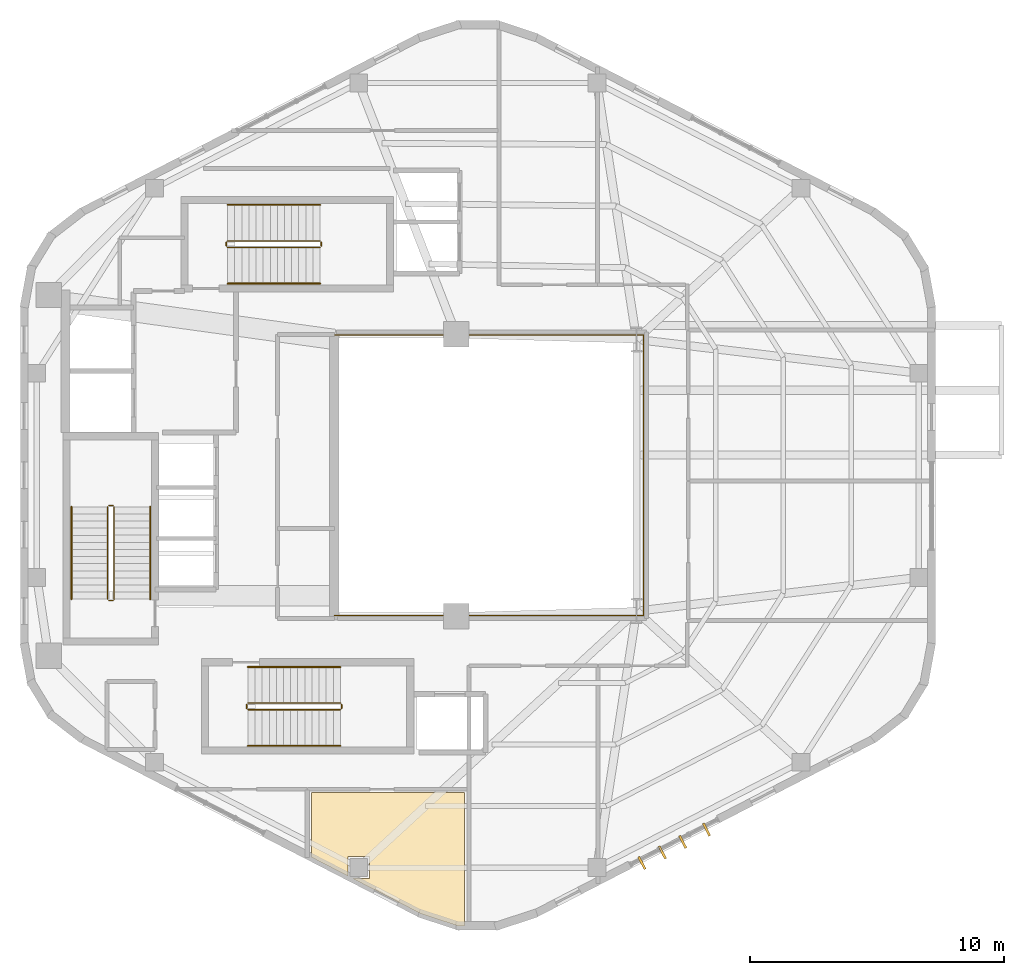
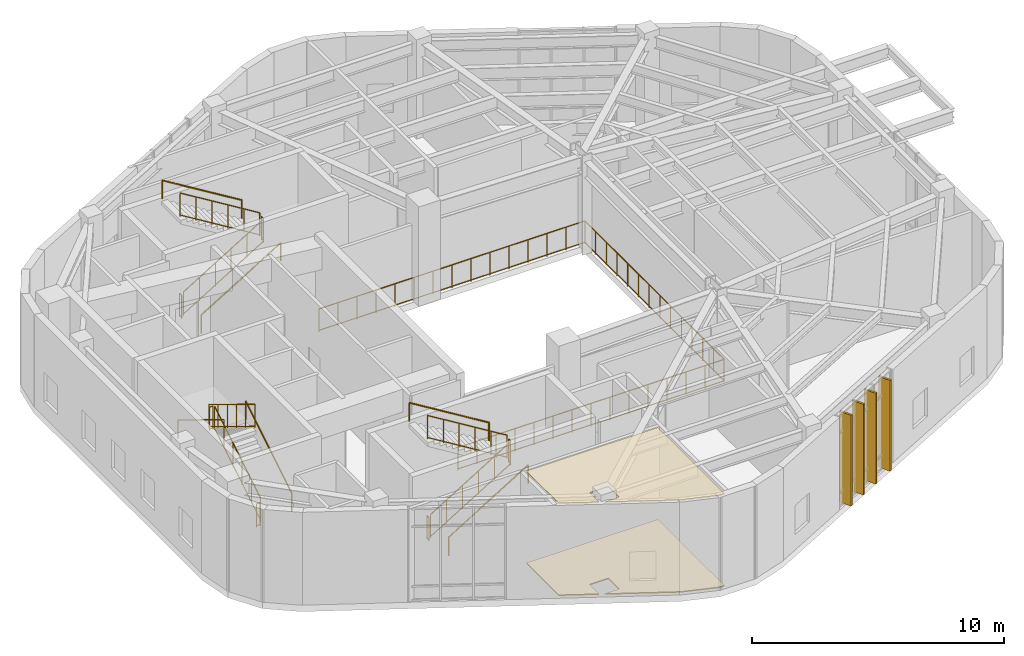
# One storey, part 18 of 18: 19 railings, 4 shading devices, 2 coverings.
"""IFC4 building model written with IfcOpenShell, lengths in metres."""

from ifc_helpers import new_model, si_unit, direction, frame, origin, origin_2d, place, context, subcontext, project, spatial, polyline, rectangle, circle, outline, extrude, material, layer, layer_set, type_object, element, save


model = new_model("IFC4")

# Units and contexts
model_context = context("Model", 3, precision=1e-05, world=origin(), true_north=direction((0.0, 1.0)))
body_context = subcontext(model_context, "Body", "Model", "MODEL_VIEW")
ifc_project = project(units=[si_unit("LENGTHUNIT", "METRE"), si_unit("AREAUNIT", "SQUARE_METRE"), si_unit("VOLUMEUNIT", "CUBIC_METRE"), si_unit("PLANEANGLEUNIT", "RADIAN"), si_unit("MASSUNIT", "GRAM", prefix="KILO"), si_unit("THERMODYNAMICTEMPERATUREUNIT", "KELVIN"), si_unit("POWERUNIT", "WATT")], contexts=[model_context])

# Site, building, storey
site_placement = place(None, origin())
site = spatial("IfcSite", under=ifc_project, at=site_placement, CompositionType="ELEMENT")
building_placement = place(site_placement, origin())
building = spatial("IfcBuilding", under=site, at=building_placement, Name="Skarre Station Tower", CompositionType="ELEMENT")
storey_placement = place(building_placement, frame((0.0, 0.0, 270.300048828125)))
storey = spatial("IfcBuildingStorey", under=building, at=storey_placement, Name="L74", CompositionType="ELEMENT", Elevation=270.300048828125)

# Railing
ifc_material_1 = material(Name="Bronze Anodized Steel & Laminated Glass Balustrade", Category="steel")
railing_type_1 = type_object("IfcRailingType", Name="Atrium Void & Mezzanine Guard Balustrade 1120", PredefinedType="GUARDRAIL", material=ifc_material_1)
railing_1_placement = place(storey_placement, frame((27.550048828125, 18.47998046875, 0.0)))
element("IfcRailing", 1, at=railing_1_placement, inside=storey, type_object=railing_type_1, Name="L74 Atrium Void Guard Balustrade", PredefinedType="GUARDRAIL", context=body_context, shape_type="SweptSolid", body=[
    extrude(circle(Radius=0.02392578125, at=origin_2d()), frame((0.0, 0.0, 1.09619140625), z_axis=(1.0, 0.0, 0.0), x_axis=(0.0, 1.0, 0.0)), (0.0, 0.0, 1.0), 12.169921875),
    extrude(circle(Radius=0.02099609375, at=origin_2d()), frame((0.0, 0.0, 0.06005859375), z_axis=(1.0, 0.0, 0.0), x_axis=(0.0, 1.0, 0.0)), (0.0, 0.0, 1.0), 12.169921875),
    extrude(circle(Radius=0.02392578125, at=origin_2d()), frame((12.169921875, 0.0, 1.09619140625), z_axis=(0.0, 1.0, 0.0), x_axis=(-1.0, 0.0, 0.0)), (0.0, 0.0, 1.0), 11.0400390625),
    extrude(circle(Radius=0.02099609375, at=origin_2d()), frame((12.169921875, 0.0, 0.06005859375), z_axis=(0.0, 1.0, 0.0), x_axis=(-1.0, 0.0, 0.0)), (0.0, 0.0, 1.0), 11.0400390625),
    extrude(circle(Radius=0.02392578125, at=origin_2d()), frame((12.169921875, 11.0400390625, 1.09619140625), z_axis=(-1.0, 0.0, 0.0), x_axis=(0.0, -1.0, 0.0)), (0.0, 0.0, 1.0), 12.169921875),
    extrude(circle(Radius=0.02099609375, at=origin_2d()), frame((12.169921875, 11.0400390625, 0.06005859375), z_axis=(-1.0, 0.0, 0.0), x_axis=(0.0, -1.0, 0.0)), (0.0, 0.0, 1.0), 12.169921875),
    extrude(circle(Radius=0.02099609375, at=origin_2d()), origin(), (0.0, 0.0, 1.0), 1.072021484375),
    extrude(circle(Radius=0.02099609375, at=origin_2d()), frame((0.869384765625, 0.0, 0.0)), (0.0, 0.0, 1.0), 1.072021484375),
    extrude(circle(Radius=0.02099609375, at=origin_2d()), frame((1.738525390625, 0.0, 0.0)), (0.0, 0.0, 1.0), 1.072021484375),
    extrude(circle(Radius=0.02099609375, at=origin_2d()), frame((2.60791015625, 0.0, 0.0)), (0.0, 0.0, 1.0), 1.072021484375),
    extrude(circle(Radius=0.02099609375, at=origin_2d()), frame((3.47705078125, 0.0, 0.0)), (0.0, 0.0, 1.0), 1.072021484375),
    extrude(circle(Radius=0.02099609375, at=origin_2d()), frame((4.346435546875, 0.0, 0.0)), (0.0, 0.0, 1.0), 1.072021484375),
    extrude(circle(Radius=0.02099609375, at=origin_2d()), frame((5.215576171875, 0.0, 0.0)), (0.0, 0.0, 1.0), 1.072021484375),
    extrude(circle(Radius=0.02099609375, at=origin_2d()), frame((6.0849609375, 0.0, 0.0)), (0.0, 0.0, 1.0), 1.072021484375),
    extrude(circle(Radius=0.02099609375, at=origin_2d()), frame((6.954345703125, 0.0, 0.0)), (0.0, 0.0, 1.0), 1.072021484375),
    extrude(circle(Radius=0.02099609375, at=origin_2d()), frame((7.823486328125, 0.0, 0.0)), (0.0, 0.0, 1.0), 1.072021484375),
    extrude(circle(Radius=0.02099609375, at=origin_2d()), frame((8.69287109375, 0.0, 0.0)), (0.0, 0.0, 1.0), 1.072021484375),
    extrude(circle(Radius=0.02099609375, at=origin_2d()), frame((9.56201171875, 0.0, 0.0)), (0.0, 0.0, 1.0), 1.072021484375),
    extrude(circle(Radius=0.02099609375, at=origin_2d()), frame((10.431396484375, 0.0, 0.0)), (0.0, 0.0, 1.0), 1.072021484375),
    extrude(circle(Radius=0.02099609375, at=origin_2d()), frame((11.300537109375, 0.0, 0.0)), (0.0, 0.0, 1.0), 1.072021484375),
    extrude(circle(Radius=0.02099609375, at=origin_2d()), frame((12.169921875, 0.0, 0.0)), (0.0, 0.0, 1.0), 1.072021484375),
    extrude(circle(Radius=0.02099609375, at=origin_2d()), frame((12.169921875, 0.84912109375, 0.0)), (0.0, 0.0, 1.0), 1.072021484375),
    extrude(circle(Radius=0.02099609375, at=origin_2d()), frame((12.169921875, 1.698486328125, 0.0)), (0.0, 0.0, 1.0), 1.072021484375),
    extrude(circle(Radius=0.02099609375, at=origin_2d()), frame((12.169921875, 2.547607421875, 0.0)), (0.0, 0.0, 1.0), 1.072021484375),
    extrude(circle(Radius=0.02099609375, at=origin_2d()), frame((12.169921875, 3.39697265625, 0.0)), (0.0, 0.0, 1.0), 1.072021484375),
    extrude(circle(Radius=0.02099609375, at=origin_2d()), frame((12.169921875, 4.24609375, 0.0)), (0.0, 0.0, 1.0), 1.072021484375),
    extrude(circle(Radius=0.02099609375, at=origin_2d()), frame((12.169921875, 5.095458984375, 0.0)), (0.0, 0.0, 1.0), 1.072021484375),
    extrude(circle(Radius=0.02099609375, at=origin_2d()), frame((12.169921875, 5.944580078125, 0.0)), (0.0, 0.0, 1.0), 1.072021484375),
    extrude(circle(Radius=0.02099609375, at=origin_2d()), frame((12.169921875, 6.7939453125, 0.0)), (0.0, 0.0, 1.0), 1.072021484375),
    extrude(circle(Radius=0.02099609375, at=origin_2d()), frame((12.169921875, 7.64306640625, 0.0)), (0.0, 0.0, 1.0), 1.072021484375),
    extrude(circle(Radius=0.02099609375, at=origin_2d()), frame((12.169921875, 8.492431640625, 0.0)), (0.0, 0.0, 1.0), 1.072021484375),
    extrude(circle(Radius=0.02099609375, at=origin_2d()), frame((12.169921875, 9.341552734375, 0.0)), (0.0, 0.0, 1.0), 1.072021484375),
    extrude(circle(Radius=0.02099609375, at=origin_2d()), frame((12.169921875, 10.19091796875, 0.0)), (0.0, 0.0, 1.0), 1.072021484375),
    extrude(circle(Radius=0.02099609375, at=origin_2d()), frame((12.169921875, 11.0400390625, 0.0)), (0.0, 0.0, 1.0), 1.072021484375),
    extrude(circle(Radius=0.02099609375, at=origin_2d()), frame((11.300537109375, 11.0400390625, 0.0)), (0.0, 0.0, 1.0), 1.072021484375),
    extrude(circle(Radius=0.02099609375, at=origin_2d()), frame((10.431396484375, 11.0400390625, 0.0)), (0.0, 0.0, 1.0), 1.072021484375),
    extrude(circle(Radius=0.02099609375, at=origin_2d()), frame((9.56201171875, 11.0400390625, 0.0)), (0.0, 0.0, 1.0), 1.072021484375),
    extrude(circle(Radius=0.02099609375, at=origin_2d()), frame((8.69287109375, 11.0400390625, 0.0)), (0.0, 0.0, 1.0), 1.072021484375),
    extrude(circle(Radius=0.02099609375, at=origin_2d()), frame((7.823486328125, 11.0400390625, 0.0)), (0.0, 0.0, 1.0), 1.072021484375),
    extrude(circle(Radius=0.02099609375, at=origin_2d()), frame((6.954345703125, 11.0400390625, 0.0)), (0.0, 0.0, 1.0), 1.072021484375),
    extrude(circle(Radius=0.02099609375, at=origin_2d()), frame((6.0849609375, 11.0400390625, 0.0)), (0.0, 0.0, 1.0), 1.072021484375),
    extrude(circle(Radius=0.02099609375, at=origin_2d()), frame((5.215576171875, 11.0400390625, 0.0)), (0.0, 0.0, 1.0), 1.072021484375),
    extrude(circle(Radius=0.02099609375, at=origin_2d()), frame((4.346435546875, 11.0400390625, 0.0)), (0.0, 0.0, 1.0), 1.072021484375),
    extrude(circle(Radius=0.02099609375, at=origin_2d()), frame((3.47705078125, 11.0400390625, 0.0)), (0.0, 0.0, 1.0), 1.072021484375),
    extrude(circle(Radius=0.02099609375, at=origin_2d()), frame((2.60791015625, 11.0400390625, 0.0)), (0.0, 0.0, 1.0), 1.072021484375),
    extrude(circle(Radius=0.02099609375, at=origin_2d()), frame((1.738525390625, 11.0400390625, 0.0)), (0.0, 0.0, 1.0), 1.072021484375),
    extrude(circle(Radius=0.02099609375, at=origin_2d()), frame((0.869384765625, 11.0400390625, 0.0)), (0.0, 0.0, 1.0), 1.072021484375),
    extrude(circle(Radius=0.02099609375, at=origin_2d()), frame((0.0, 11.0400390625, 0.0)), (0.0, 0.0, 1.0), 1.072021484375),
])

# Coverings
ifc_material_2 = material(Name="Honed Jura Limestone & Calcium-Sulfate Access Tile", Category="masonry")
ifc_layer_1 = layer(ifc_material_2, 0.050048828125, Name="Honed Jura Limestone & Calcium-Sulfate Access Tile")
ifc_layer_set_1 = layer_set([ifc_layer_1], Name="Honed Jura Limestone & Calcium-Sulfate Access Tile")
covering_type_1 = type_object("IfcCoveringType", Name="Honed Limestone & Raised Access Floor Finish 50", PredefinedType="FLOORING", material=ifc_layer_set_1)
covering_1_placement = place(storey_placement, origin())
element("IfcCovering", 2, at=covering_1_placement, inside=storey, type_object=covering_type_1, Name="L74 Limestone Access Flooring 1", PredefinedType="FLOORING", context=body_context, shape_type="SweptSolid", body=[
    extrude(outline(polyline([(26.653076171875, 11.52001953125), (26.653076171875, 8.9599609375), (28.0810546875, 8.222900390625), (28.0810546875, 8.98291015625), (28.94091796875, 8.98291015625), (28.94091796875, 8.123046875), (28.27490234375, 8.123046875), (30.9541015625, 6.739990234375), (32.429931640625, 6.25390625), (32.669921875, 6.25390625), (32.669921875, 11.52001953125), (26.653076171875, 11.52001953125)])), origin(), (0.0, 0.0, 1.0), 0.050048828125),
])
ifc_material_3 = material(Name="Perforated Nordic Birch Veneer & Mineral Wool", Category="wood")
ifc_layer_2 = layer(ifc_material_3, 0.044921875, Name="Perforated Nordic Birch Veneer & Mineral Wool")
ifc_layer_set_2 = layer_set([ifc_layer_2], Name="Perforated Nordic Birch Veneer & Mineral Wool")
covering_type_2 = type_object("IfcCoveringType", Name="Nordic Birch Slatted Acoustic Suspended Ceiling 45", PredefinedType="CEILING", material=ifc_layer_set_2)
covering_2_placement = place(storey_placement, frame((0.0, 0.0, 4.445068359375)))
element("IfcCovering", 3, at=covering_2_placement, inside=storey, type_object=covering_type_2, Name="L74 Acoustic Birch Ceiling 1", PredefinedType="CEILING", context=body_context, shape_type="SweptSolid", body=[
    extrude(outline(polyline([(26.653076171875, 11.52001953125), (26.653076171875, 8.9599609375), (28.0810546875, 8.222900390625), (28.0810546875, 8.98291015625), (28.94091796875, 8.98291015625), (28.94091796875, 8.123046875), (28.27490234375, 8.123046875), (30.9541015625, 6.739990234375), (32.429931640625, 6.25390625), (32.669921875, 6.25390625), (32.669921875, 11.52001953125), (26.653076171875, 11.52001953125)])), origin(), (0.0, 0.0, 1.0), 0.044921875),
])

# Shading devices
ifc_material_4 = material(Name="Bronze Anodized Extruded Aluminium 6063-T6", Category="aluminium")
shading_device_type = type_object("IfcShadingDeviceType", Name="Nordic Bronze Vertical Solar Fin 550x90", PredefinedType="SHUTTER", material=ifc_material_4)
for number, where, z_axis, x_axis, name in (
    (4, (42.20703125, 10.050048828125, 0.0498046875), (0.0, 0.0, 1.0), (0.458711590553, -0.88858521071, 0.0), "L74 Facet 4 Crown Solar Fin 1"),
    (5, (41.26904296875, 9.56591796875, 0.0498046875), (0.0, 0.0, 1.0), (0.458711590553, -0.88858521071, 0.0), "L74 Facet 4 Crown Solar Fin 2"),
    (6, (40.465087890625, 9.15087890625, 0.0498046875), (0.0, 0.0, 1.0), (0.458711590553, -0.88858521071, 0.0), "L74 Facet 4 Crown Solar Fin 3"),
    (7, (39.660888671875, 8.736083984375, 0.0498046875), (0.0, 0.0, 1.0), (0.458711590553, -0.88858521071, 0.0), "L74 Facet 4 Crown Solar Fin 4"),
):
    element("IfcShadingDevice", number, at=place(storey_placement, frame(where, z_axis=z_axis, x_axis=x_axis)), inside=storey, type_object=shading_device_type, Name=name, PredefinedType="SHUTTER", context=body_context, shape_type="SweptSolid", body=[
        extrude(rectangle(XDim=0.550048828125, YDim=0.090087890625, at=origin_2d()), origin(), (0.0, 0.0, 1.0), 4.389892578125),
    ])

# Railings
ifc_material_5 = material(Name="Powder-Coated Tubular Steel", Category="steel")
railing_type_2 = type_object("IfcRailingType", Name="Painted Steel Ramp & Stair Handrail 920", PredefinedType="HANDRAIL", material=ifc_material_5)
railing_2_placement = place(storey_placement, frame((20.300048828125, 19.1201171875, 0.17138671875)))
element("IfcRailing", 8, at=railing_2_placement, inside=storey, type_object=railing_type_2, Name="L74 ST-1 stair handrail 1", PredefinedType="HANDRAIL", context=body_context, shape_type="SweptSolid", body=[
    extrude(circle(Radius=0.02392578125, at=origin_2d()), frame((0.0, 0.0, 0.8759765625), z_axis=(0.0, 0.852850264322, 0.5221555579), x_axis=(-1.0, 0.0, 0.0)), (0.0, 0.0, 1.0), 4.267822265625),
    extrude(circle(Radius=0.02099609375, at=origin_2d()), origin(), (0.0, 0.0, 1.0), 0.851806640625),
    extrude(circle(Radius=0.02099609375, at=origin_2d()), frame((0.0, 3.639892578125, 2.228515625)), (0.0, 0.0, 1.0), 0.851806640625),
])
railing_3_placement = place(storey_placement, frame((17.199951171875, 22.760009765625, 2.5712890625)))
element("IfcRailing", 9, at=railing_3_placement, inside=storey, type_object=railing_type_2, Name="L74 ST-1 stair handrail 2", PredefinedType="HANDRAIL", context=body_context, shape_type="SweptSolid", body=[
    extrude(circle(Radius=0.02392578125, at=origin_2d()), frame((0.0, 0.0, 0.8759765625), z_axis=(0.0, -0.852824790078, 0.522197163366), x_axis=(1.0, 0.0, 0.0)), (0.0, 0.0, 1.0), 4.26806640625),
    extrude(circle(Radius=0.02099609375, at=origin_2d()), origin(), (0.0, 0.0, 1.0), 0.851806640625),
    extrude(circle(Radius=0.02099609375, at=origin_2d()), frame((0.0, -3.639892578125, 2.228759765625)), (0.0, 0.0, 1.0), 0.851806640625),
])
railing_4_placement = place(storey_placement, frame((24.14990234375, 13.35009765625, 0.17138671875)))
element("IfcRailing", 10, at=railing_4_placement, inside=storey, type_object=railing_type_2, Name="L74 ST-2 stair handrail 1", PredefinedType="HANDRAIL", context=body_context, shape_type="SweptSolid", body=[
    extrude(circle(Radius=0.02392578125, at=origin_2d()), frame((0.0, 0.0, 0.8759765625), z_axis=(0.852865859571, 0.0, 0.52213008492), x_axis=(0.0, 1.0, 0.0)), (0.0, 0.0, 1.0), 4.26806640625),
    extrude(circle(Radius=0.02099609375, at=origin_2d()), origin(), (0.0, 0.0, 1.0), 0.851806640625),
    extrude(circle(Radius=0.02099609375, at=origin_2d()), frame((3.64013671875, 0.0, 2.228515625)), (0.0, 0.0, 1.0), 0.851806640625),
])
railing_5_placement = place(storey_placement, frame((27.7900390625, 16.449951171875, 2.5712890625)))
element("IfcRailing", 11, at=railing_5_placement, inside=storey, type_object=railing_type_2, Name="L74 ST-2 stair handrail 2", PredefinedType="HANDRAIL", context=body_context, shape_type="SweptSolid", body=[
    extrude(circle(Radius=0.02392578125, at=origin_2d()), frame((0.0, 0.0, 0.8759765625), z_axis=(-0.852840387347, 0.0, 0.522171689878), x_axis=(0.0, -1.0, 0.0)), (0.0, 0.0, 1.0), 4.268310546875),
    extrude(circle(Radius=0.02099609375, at=origin_2d()), origin(), (0.0, 0.0, 1.0), 0.851806640625),
    extrude(circle(Radius=0.02099609375, at=origin_2d()), frame((-3.64013671875, 0.0, 2.228759765625)), (0.0, 0.0, 1.0), 0.851806640625),
])
railing_6_placement = place(storey_placement, frame((23.35009765625, 31.550048828125, 0.17138671875)))
element("IfcRailing", 12, at=railing_6_placement, inside=storey, type_object=railing_type_2, Name="L74 ST-3 stair handrail 1", PredefinedType="HANDRAIL", context=body_context, shape_type="SweptSolid", body=[
    extrude(circle(Radius=0.02392578125, at=origin_2d()), frame((0.0, 0.0, 0.8759765625), z_axis=(0.852850264322, 0.0, 0.5221555579), x_axis=(0.0, 1.0, 0.0)), (0.0, 0.0, 1.0), 4.267822265625),
    extrude(circle(Radius=0.02099609375, at=origin_2d()), origin(), (0.0, 0.0, 1.0), 0.851806640625),
    extrude(circle(Radius=0.02099609375, at=origin_2d()), frame((3.639892578125, 0.0, 2.228515625)), (0.0, 0.0, 1.0), 0.851806640625),
])
railing_7_placement = place(storey_placement, frame((26.989990234375, 34.64990234375, 2.5712890625)))
element("IfcRailing", 13, at=railing_7_placement, inside=storey, type_object=railing_type_2, Name="L74 ST-3 stair handrail 2", PredefinedType="HANDRAIL", context=body_context, shape_type="SweptSolid", body=[
    extrude(circle(Radius=0.02392578125, at=origin_2d()), frame((0.0, 0.0, 0.8759765625), z_axis=(-0.852824790078, 0.0, 0.522197163366), x_axis=(0.0, -1.0, 0.0)), (0.0, 0.0, 1.0), 4.26806640625),
    extrude(circle(Radius=0.02099609375, at=origin_2d()), origin(), (0.0, 0.0, 1.0), 0.851806640625),
    extrude(circle(Radius=0.02099609375, at=origin_2d()), frame((-3.639892578125, 0.0, 2.228759765625)), (0.0, 0.0, 1.0), 0.851806640625),
])
railing_type_3 = type_object("IfcRailingType", Name="Painted Steel Stairwell Guardrail 1100", PredefinedType="GUARDRAIL", material=ifc_material_5)
railing_8_placement = place(storey_placement, frame((18.8798828125, 19.1201171875, 0.17138671875)))
element("IfcRailing", 14, at=railing_8_placement, inside=storey, type_object=railing_type_3, Name="L74 ST-1 stair guard 1", PredefinedType="GUARDRAIL", context=body_context, shape_type="SweptSolid", body=[
    extrude(circle(Radius=0.02392578125, at=origin_2d()), frame((0.0, 0.0, 1.1259765625), z_axis=(0.0, 0.852850264322, 0.5221555579), x_axis=(-1.0, 0.0, 0.0)), (0.0, 0.0, 1.0), 4.267822265625),
    extrude(circle(Radius=0.02099609375, at=origin_2d()), frame((0.0, 0.0, 0.06005859375), z_axis=(0.0, 0.852850264322, 0.5221555579), x_axis=(-1.0, 0.0, 0.0)), (0.0, 0.0, 1.0), 4.267822265625),
    extrude(circle(Radius=0.02099609375, at=origin_2d()), origin(), (0.0, 0.0, 1.0), 1.101806640625),
    extrude(circle(Radius=0.02099609375, at=origin_2d()), frame((0.0, 0.72802734375, 0.44580078125)), (0.0, 0.0, 1.0), 1.101806640625),
    extrude(circle(Radius=0.02099609375, at=origin_2d()), frame((0.0, 1.4560546875, 0.891357421875)), (0.0, 0.0, 1.0), 1.101806640625),
    extrude(circle(Radius=0.02099609375, at=origin_2d()), frame((0.0, 2.183837890625, 1.337158203125)), (0.0, 0.0, 1.0), 1.101806640625),
    extrude(circle(Radius=0.02099609375, at=origin_2d()), frame((0.0, 2.911865234375, 1.78271484375)), (0.0, 0.0, 1.0), 1.101806640625),
    extrude(circle(Radius=0.02099609375, at=origin_2d()), frame((0.0, 3.639892578125, 2.228515625)), (0.0, 0.0, 1.0), 1.101806640625),
])
railing_9_placement = place(storey_placement, frame((18.830078125, 22.81005859375, 2.39990234375)))
element("IfcRailing", 15, at=railing_9_placement, inside=storey, type_object=railing_type_3, Name="L74 ST-1 stair guard 2", PredefinedType="GUARDRAIL", context=body_context, shape_type="SweptSolid", body=[
    extrude(circle(Radius=0.02392578125, at=origin_2d()), frame((0.0, 0.0, 1.1259765625), z_axis=(-1.0, 0.0, 0.0), x_axis=(0.0, -1.0, 0.0)), (0.0, 0.0, 1.0), 0.16015625),
    extrude(circle(Radius=0.02099609375, at=origin_2d()), frame((0.0, 0.0, 0.06005859375), z_axis=(-1.0, 0.0, 0.0), x_axis=(0.0, -1.0, 0.0)), (0.0, 0.0, 1.0), 0.16015625),
    extrude(circle(Radius=0.02099609375, at=origin_2d()), origin(), (0.0, 0.0, 1.0), 1.101806640625),
    extrude(circle(Radius=0.02099609375, at=origin_2d()), frame((-0.16015625, 0.0, 0.0)), (0.0, 0.0, 1.0), 1.101806640625),
])
railing_10_placement = place(storey_placement, frame((18.6201171875, 22.760009765625, 2.5712890625)))
element("IfcRailing", 16, at=railing_10_placement, inside=storey, type_object=railing_type_3, Name="L74 ST-1 stair guard 3", PredefinedType="GUARDRAIL", context=body_context, shape_type="SweptSolid", body=[
    extrude(circle(Radius=0.02392578125, at=origin_2d()), frame((0.0, 0.0, 1.1259765625), z_axis=(0.0, -0.852824790078, 0.522197163366), x_axis=(1.0, 0.0, 0.0)), (0.0, 0.0, 1.0), 4.26806640625),
    extrude(circle(Radius=0.02099609375, at=origin_2d()), frame((0.0, 0.0, 0.06005859375), z_axis=(0.0, -0.852824790078, 0.522197163366), x_axis=(1.0, 0.0, 0.0)), (0.0, 0.0, 1.0), 4.26806640625),
    extrude(circle(Radius=0.02099609375, at=origin_2d()), origin(), (0.0, 0.0, 1.0), 1.101806640625),
    extrude(circle(Radius=0.02099609375, at=origin_2d()), frame((0.0, -0.72802734375, 0.44580078125)), (0.0, 0.0, 1.0), 1.101806640625),
    extrude(circle(Radius=0.02099609375, at=origin_2d()), frame((0.0, -1.4560546875, 0.8916015625)), (0.0, 0.0, 1.0), 1.101806640625),
    extrude(circle(Radius=0.02099609375, at=origin_2d()), frame((0.0, -2.183837890625, 1.337158203125)), (0.0, 0.0, 1.0), 1.101806640625),
    extrude(circle(Radius=0.02099609375, at=origin_2d()), frame((0.0, -2.911865234375, 1.782958984375)), (0.0, 0.0, 1.0), 1.101806640625),
    extrude(circle(Radius=0.02099609375, at=origin_2d()), frame((0.0, -3.639892578125, 2.228759765625)), (0.0, 0.0, 1.0), 1.101806640625),
])
railing_11_placement = place(storey_placement, frame((18.830078125, 19.070068359375, 0.0)))
element("IfcRailing", 17, at=railing_11_placement, inside=storey, type_object=railing_type_3, Name="L74 ST-1 stair guard 4", PredefinedType="GUARDRAIL", context=body_context, shape_type="SweptSolid", body=[
    extrude(circle(Radius=0.02392578125, at=origin_2d()), frame((0.0, 0.0, 1.1259765625), z_axis=(-1.0, 0.0, 0.0), x_axis=(0.0, -1.0, 0.0)), (0.0, 0.0, 1.0), 0.16015625),
    extrude(circle(Radius=0.02099609375, at=origin_2d()), frame((0.0, 0.0, 0.06005859375), z_axis=(-1.0, 0.0, 0.0), x_axis=(0.0, -1.0, 0.0)), (0.0, 0.0, 1.0), 0.16015625),
    extrude(circle(Radius=0.02099609375, at=origin_2d()), origin(), (0.0, 0.0, 1.0), 1.101806640625),
    extrude(circle(Radius=0.02099609375, at=origin_2d()), frame((-0.16015625, 0.0, 0.0)), (0.0, 0.0, 1.0), 1.101806640625),
])
railing_12_placement = place(storey_placement, frame((24.14990234375, 14.77001953125, 0.17138671875)))
element("IfcRailing", 18, at=railing_12_placement, inside=storey, type_object=railing_type_3, Name="L74 ST-2 stair guard 1", PredefinedType="GUARDRAIL", context=body_context, shape_type="SweptSolid", body=[
    extrude(circle(Radius=0.02392578125, at=origin_2d()), frame((0.0, 0.0, 1.1259765625), z_axis=(0.852865859571, 0.0, 0.52213008492), x_axis=(0.0, 1.0, 0.0)), (0.0, 0.0, 1.0), 4.26806640625),
    extrude(circle(Radius=0.02099609375, at=origin_2d()), frame((0.0, 0.0, 0.06005859375), z_axis=(0.852865859571, 0.0, 0.52213008492), x_axis=(0.0, 1.0, 0.0)), (0.0, 0.0, 1.0), 4.26806640625),
    extrude(circle(Radius=0.02099609375, at=origin_2d()), origin(), (0.0, 0.0, 1.0), 1.101806640625),
    extrude(circle(Radius=0.02099609375, at=origin_2d()), frame((0.72802734375, 0.0, 0.44580078125)), (0.0, 0.0, 1.0), 1.101806640625),
    extrude(circle(Radius=0.02099609375, at=origin_2d()), frame((1.4560546875, 0.0, 0.891357421875)), (0.0, 0.0, 1.0), 1.101806640625),
    extrude(circle(Radius=0.02099609375, at=origin_2d()), frame((2.18408203125, 0.0, 1.337158203125)), (0.0, 0.0, 1.0), 1.101806640625),
    extrude(circle(Radius=0.02099609375, at=origin_2d()), frame((2.912109375, 0.0, 1.78271484375)), (0.0, 0.0, 1.0), 1.101806640625),
    extrude(circle(Radius=0.02099609375, at=origin_2d()), frame((3.64013671875, 0.0, 2.228515625)), (0.0, 0.0, 1.0), 1.101806640625),
])
railing_13_placement = place(storey_placement, frame((27.840087890625, 14.820068359375, 2.39990234375)))
element("IfcRailing", 19, at=railing_13_placement, inside=storey, type_object=railing_type_3, Name="L74 ST-2 stair guard 2", PredefinedType="GUARDRAIL", context=body_context, shape_type="SweptSolid", body=[
    extrude(circle(Radius=0.02392578125, at=origin_2d()), frame((0.0, 0.0, 1.1259765625), z_axis=(0.0, 1.0, 0.0), x_axis=(-1.0, 0.0, 0.0)), (0.0, 0.0, 1.0), 0.159912109375),
    extrude(circle(Radius=0.02099609375, at=origin_2d()), frame((0.0, 0.0, 0.06005859375), z_axis=(0.0, 1.0, 0.0), x_axis=(-1.0, 0.0, 0.0)), (0.0, 0.0, 1.0), 0.159912109375),
    extrude(circle(Radius=0.02099609375, at=origin_2d()), origin(), (0.0, 0.0, 1.0), 1.101806640625),
    extrude(circle(Radius=0.02099609375, at=origin_2d()), frame((0.0, 0.159912109375, 0.0)), (0.0, 0.0, 1.0), 1.101806640625),
])
railing_14_placement = place(storey_placement, frame((27.7900390625, 15.030029296875, 2.5712890625)))
element("IfcRailing", 20, at=railing_14_placement, inside=storey, type_object=railing_type_3, Name="L74 ST-2 stair guard 3", PredefinedType="GUARDRAIL", context=body_context, shape_type="SweptSolid", body=[
    extrude(circle(Radius=0.02392578125, at=origin_2d()), frame((0.0, 0.0, 1.1259765625), z_axis=(-0.852840387347, 0.0, 0.522171689878), x_axis=(0.0, -1.0, 0.0)), (0.0, 0.0, 1.0), 4.268310546875),
    extrude(circle(Radius=0.02099609375, at=origin_2d()), frame((0.0, 0.0, 0.06005859375), z_axis=(-0.852840387347, 0.0, 0.522171689878), x_axis=(0.0, -1.0, 0.0)), (0.0, 0.0, 1.0), 4.268310546875),
    extrude(circle(Radius=0.02099609375, at=origin_2d()), origin(), (0.0, 0.0, 1.0), 1.101806640625),
    extrude(circle(Radius=0.02099609375, at=origin_2d()), frame((-0.72802734375, 0.0, 0.44580078125)), (0.0, 0.0, 1.0), 1.101806640625),
    extrude(circle(Radius=0.02099609375, at=origin_2d()), frame((-1.4560546875, 0.0, 0.8916015625)), (0.0, 0.0, 1.0), 1.101806640625),
    extrude(circle(Radius=0.02099609375, at=origin_2d()), frame((-2.18408203125, 0.0, 1.337158203125)), (0.0, 0.0, 1.0), 1.101806640625),
    extrude(circle(Radius=0.02099609375, at=origin_2d()), frame((-2.912109375, 0.0, 1.782958984375)), (0.0, 0.0, 1.0), 1.101806640625),
    extrude(circle(Radius=0.02099609375, at=origin_2d()), frame((-3.64013671875, 0.0, 2.228759765625)), (0.0, 0.0, 1.0), 1.101806640625),
])
railing_15_placement = place(storey_placement, frame((24.10009765625, 14.820068359375, 0.0)))
element("IfcRailing", 21, at=railing_15_placement, inside=storey, type_object=railing_type_3, Name="L74 ST-2 stair guard 4", PredefinedType="GUARDRAIL", context=body_context, shape_type="SweptSolid", body=[
    extrude(circle(Radius=0.02392578125, at=origin_2d()), frame((0.0, 0.0, 1.1259765625), z_axis=(0.0, 1.0, 0.0), x_axis=(-1.0, 0.0, 0.0)), (0.0, 0.0, 1.0), 0.159912109375),
    extrude(circle(Radius=0.02099609375, at=origin_2d()), frame((0.0, 0.0, 0.06005859375), z_axis=(0.0, 1.0, 0.0), x_axis=(-1.0, 0.0, 0.0)), (0.0, 0.0, 1.0), 0.159912109375),
    extrude(circle(Radius=0.02099609375, at=origin_2d()), origin(), (0.0, 0.0, 1.0), 1.101806640625),
    extrude(circle(Radius=0.02099609375, at=origin_2d()), frame((0.0, 0.159912109375, 0.0)), (0.0, 0.0, 1.0), 1.101806640625),
])
railing_16_placement = place(storey_placement, frame((23.35009765625, 32.969970703125, 0.17138671875)))
element("IfcRailing", 22, at=railing_16_placement, inside=storey, type_object=railing_type_3, Name="L74 ST-3 stair guard 1", PredefinedType="GUARDRAIL", context=body_context, shape_type="SweptSolid", body=[
    extrude(circle(Radius=0.02392578125, at=origin_2d()), frame((0.0, 0.0, 1.1259765625), z_axis=(0.852850264322, 0.0, 0.5221555579), x_axis=(0.0, 1.0, 0.0)), (0.0, 0.0, 1.0), 4.267822265625),
    extrude(circle(Radius=0.02099609375, at=origin_2d()), frame((0.0, 0.0, 0.06005859375), z_axis=(0.852850264322, 0.0, 0.5221555579), x_axis=(0.0, 1.0, 0.0)), (0.0, 0.0, 1.0), 4.267822265625),
    extrude(circle(Radius=0.02099609375, at=origin_2d()), origin(), (0.0, 0.0, 1.0), 1.101806640625),
    extrude(circle(Radius=0.02099609375, at=origin_2d()), frame((0.72802734375, 0.0, 0.44580078125)), (0.0, 0.0, 1.0), 1.101806640625),
    extrude(circle(Radius=0.02099609375, at=origin_2d()), frame((1.4560546875, 0.0, 0.891357421875)), (0.0, 0.0, 1.0), 1.101806640625),
    extrude(circle(Radius=0.02099609375, at=origin_2d()), frame((2.183837890625, 0.0, 1.337158203125)), (0.0, 0.0, 1.0), 1.101806640625),
    extrude(circle(Radius=0.02099609375, at=origin_2d()), frame((2.911865234375, 0.0, 1.78271484375)), (0.0, 0.0, 1.0), 1.101806640625),
    extrude(circle(Radius=0.02099609375, at=origin_2d()), frame((3.639892578125, 0.0, 2.228515625)), (0.0, 0.0, 1.0), 1.101806640625),
])
railing_17_placement = place(storey_placement, frame((27.0400390625, 33.02001953125, 2.39990234375)))
element("IfcRailing", 23, at=railing_17_placement, inside=storey, type_object=railing_type_3, Name="L74 ST-3 stair guard 2", PredefinedType="GUARDRAIL", context=body_context, shape_type="SweptSolid", body=[
    extrude(circle(Radius=0.02392578125, at=origin_2d()), frame((0.0, 0.0, 1.1259765625), z_axis=(0.0, 1.0, 0.0), x_axis=(-1.0, 0.0, 0.0)), (0.0, 0.0, 1.0), 0.159912109375),
    extrude(circle(Radius=0.02099609375, at=origin_2d()), frame((0.0, 0.0, 0.06005859375), z_axis=(0.0, 1.0, 0.0), x_axis=(-1.0, 0.0, 0.0)), (0.0, 0.0, 1.0), 0.159912109375),
    extrude(circle(Radius=0.02099609375, at=origin_2d()), origin(), (0.0, 0.0, 1.0), 1.101806640625),
    extrude(circle(Radius=0.02099609375, at=origin_2d()), frame((0.0, 0.159912109375, 0.0)), (0.0, 0.0, 1.0), 1.101806640625),
])
railing_18_placement = place(storey_placement, frame((26.989990234375, 33.22998046875, 2.5712890625)))
element("IfcRailing", 24, at=railing_18_placement, inside=storey, type_object=railing_type_3, Name="L74 ST-3 stair guard 3", PredefinedType="GUARDRAIL", context=body_context, shape_type="SweptSolid", body=[
    extrude(circle(Radius=0.02392578125, at=origin_2d()), frame((0.0, 0.0, 1.1259765625), z_axis=(-0.852824790078, 0.0, 0.522197163366), x_axis=(0.0, -1.0, 0.0)), (0.0, 0.0, 1.0), 4.26806640625),
    extrude(circle(Radius=0.02099609375, at=origin_2d()), frame((0.0, 0.0, 0.06005859375), z_axis=(-0.852824790078, 0.0, 0.522197163366), x_axis=(0.0, -1.0, 0.0)), (0.0, 0.0, 1.0), 4.26806640625),
    extrude(circle(Radius=0.02099609375, at=origin_2d()), origin(), (0.0, 0.0, 1.0), 1.101806640625),
    extrude(circle(Radius=0.02099609375, at=origin_2d()), frame((-0.72802734375, 0.0, 0.44580078125)), (0.0, 0.0, 1.0), 1.101806640625),
    extrude(circle(Radius=0.02099609375, at=origin_2d()), frame((-1.4560546875, 0.0, 0.8916015625)), (0.0, 0.0, 1.0), 1.101806640625),
    extrude(circle(Radius=0.02099609375, at=origin_2d()), frame((-2.183837890625, 0.0, 1.337158203125)), (0.0, 0.0, 1.0), 1.101806640625),
    extrude(circle(Radius=0.02099609375, at=origin_2d()), frame((-2.911865234375, 0.0, 1.782958984375)), (0.0, 0.0, 1.0), 1.101806640625),
    extrude(circle(Radius=0.02099609375, at=origin_2d()), frame((-3.639892578125, 0.0, 2.228759765625)), (0.0, 0.0, 1.0), 1.101806640625),
])
railing_19_placement = place(storey_placement, frame((23.300048828125, 33.02001953125, 0.0)))
element("IfcRailing", 25, at=railing_19_placement, inside=storey, type_object=railing_type_3, Name="L74 ST-3 stair guard 4", PredefinedType="GUARDRAIL", context=body_context, shape_type="SweptSolid", body=[
    extrude(circle(Radius=0.02392578125, at=origin_2d()), frame((0.0, 0.0, 1.1259765625), z_axis=(0.0, 1.0, 0.0), x_axis=(-1.0, 0.0, 0.0)), (0.0, 0.0, 1.0), 0.159912109375),
    extrude(circle(Radius=0.02099609375, at=origin_2d()), frame((0.0, 0.0, 0.06005859375), z_axis=(0.0, 1.0, 0.0), x_axis=(-1.0, 0.0, 0.0)), (0.0, 0.0, 1.0), 0.159912109375),
    extrude(circle(Radius=0.02099609375, at=origin_2d()), origin(), (0.0, 0.0, 1.0), 1.101806640625),
    extrude(circle(Radius=0.02099609375, at=origin_2d()), frame((0.0, 0.159912109375, 0.0)), (0.0, 0.0, 1.0), 1.101806640625),
])

save(model, "model.ifc")
